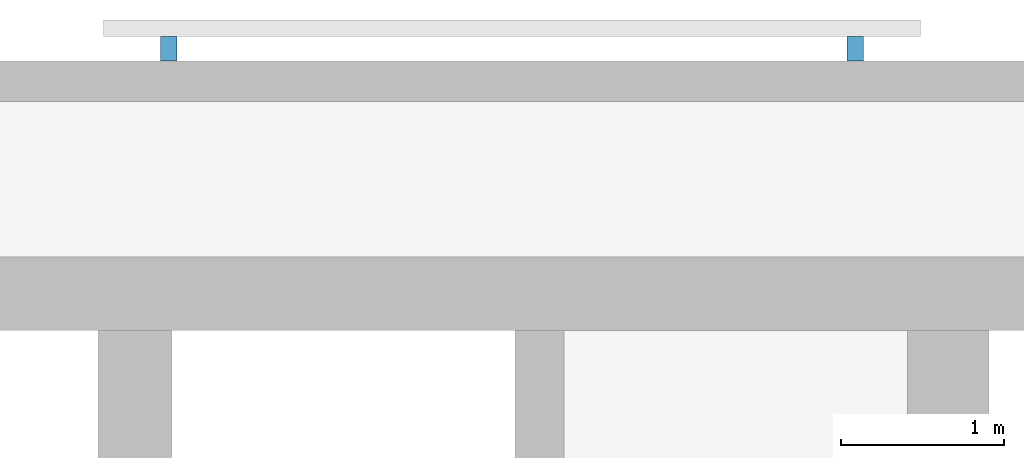
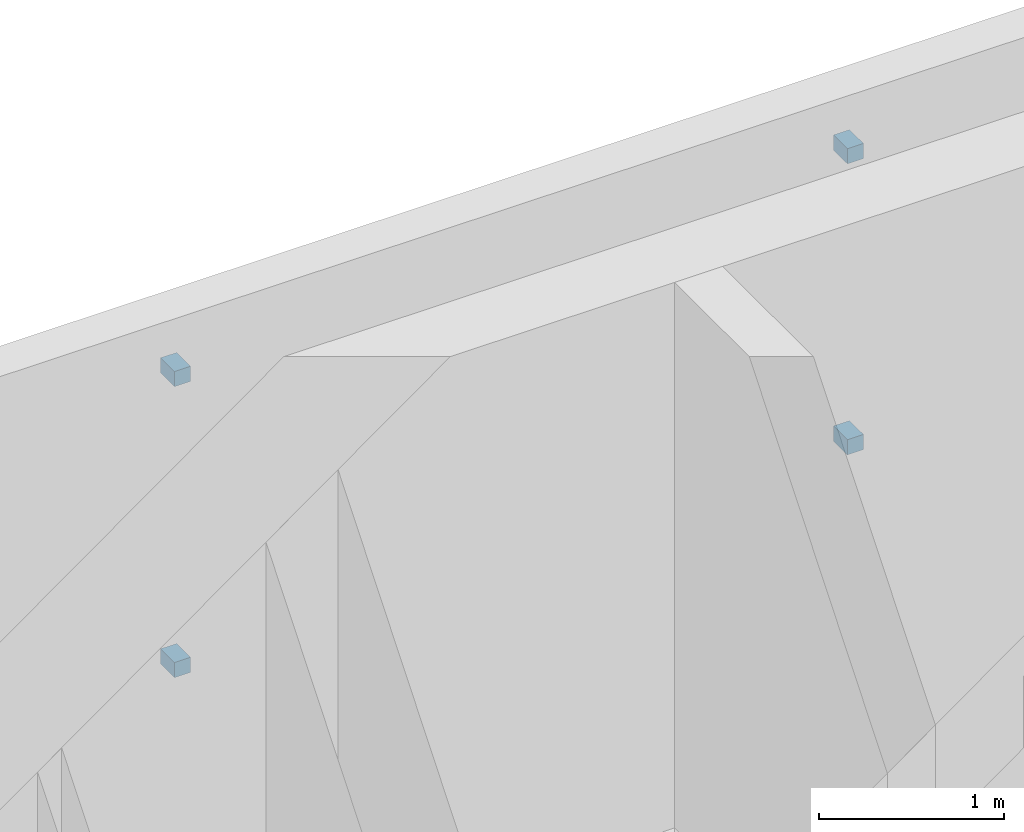
# One storey, part 12 of 15: 4 discrete accessories.
"""IFC4 building model written with IfcOpenShell, lengths in metres."""

from ifc_helpers import new_model, si_unit, direction, frame, origin, origin_2d, place, context, subcontext, project, spatial, rectangle, extrude, material, type_object, element, save


model = new_model("IFC4")

# Units and contexts
model_context = context("Model", 3, precision=1e-05, world=origin(), true_north=direction((0.0, 1.0)))
body_context = subcontext(model_context, "Body", "Model", "MODEL_VIEW")
ifc_project = project(units=[si_unit("LENGTHUNIT", "METRE"), si_unit("AREAUNIT", "SQUARE_METRE"), si_unit("VOLUMEUNIT", "CUBIC_METRE"), si_unit("PLANEANGLEUNIT", "RADIAN"), si_unit("MASSUNIT", "GRAM", prefix="KILO")], contexts=[model_context])

# Site, building, storey
site_placement = place(None, origin())
site = spatial("IfcSite", under=ifc_project, at=site_placement, CompositionType="ELEMENT")
building_placement = place(site_placement, origin())
building = spatial("IfcBuilding", under=site, at=building_placement, Name="Torana Hotel and Residences", CompositionType="ELEMENT")
storey_placement = place(building_placement, frame((0.0, 0.0, 27.60009765625)))
storey = spatial("IfcBuildingStorey", under=building, at=storey_placement, Name="L05", CompositionType="ELEMENT", Elevation=27.60009765625)

# Discrete accessories
ifc_material = material(Name="Steel S355", Category="steel")
discrete_accessory_type = type_object("IfcDiscreteAccessoryType", Name="SCREEN BRACKET 100", PredefinedType="BRACKET", material=ifc_material)
for number, where, z_axis, x_axis, name in (
    (1, (23.681396484375, 1.27490234375, 0.749755859375), (0.0, 0.0, 1.0), (-1.0, 0.0, 0.0), "Screen bracket L05"),
    (2, (23.681396484375, 1.27490234375, 2.669921875), (0.0, 0.0, 1.0), (-1.0, 0.0, 0.0), "Screen bracket L05"),
    (3, (19.4814453125, 1.27490234375, 0.749755859375), (0.0, 0.0, 1.0), (-1.0, 0.0, 0.0), "Screen bracket L05"),
    (4, (19.4814453125, 1.27490234375, 2.669921875), (0.0, 0.0, 1.0), (-1.0, 0.0, 0.0), "Screen bracket L05"),
):
    element("IfcDiscreteAccessory", number, at=place(storey_placement, frame(where, z_axis=z_axis, x_axis=x_axis)), inside=storey, type_object=discrete_accessory_type, Name=name, PredefinedType="BRACKET", context=body_context, shape_type="SweptSolid", body=[
        extrude(rectangle(XDim=0.10009765625, YDim=0.14990234375, at=origin_2d()), origin(), (0.0, 0.0, 1.0), 0.10009765625),
    ])

save(model, "model.ifc")
